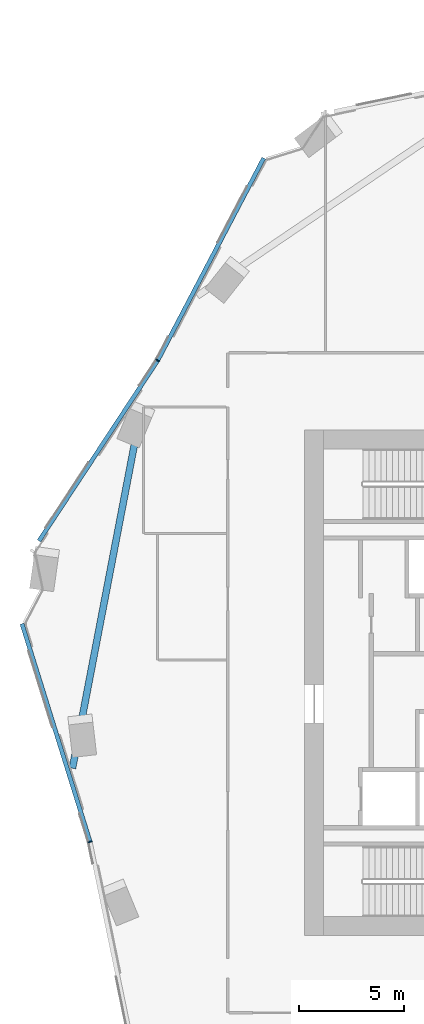
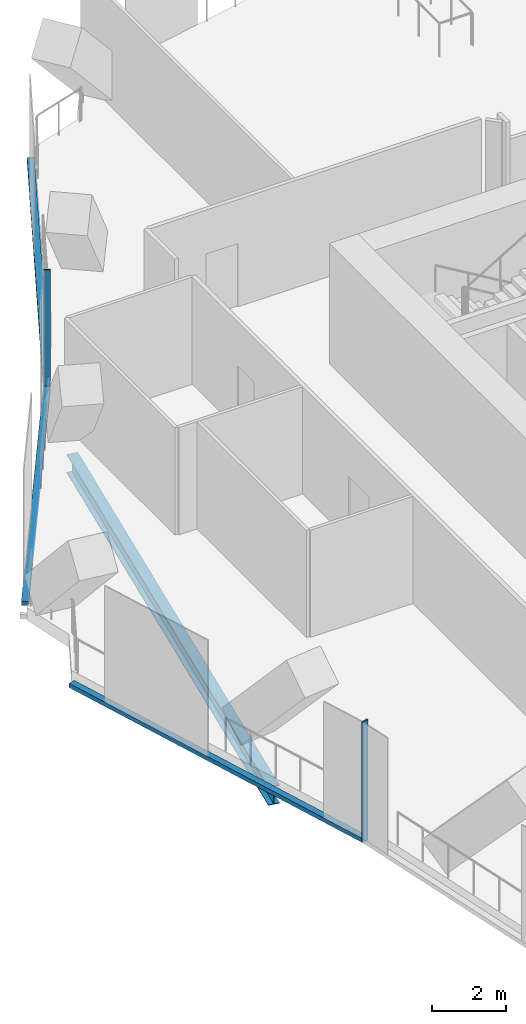
# One storey, part 6 of 26: 5 members, 1 beam, 3 elements without a shape of their own.
"""IFC4 building model written with IfcOpenShell, lengths in metres."""

from ifc_helpers import new_model, si_unit, direction, frame, origin, origin_2d, place, context, subcontext, project, spatial, rectangle, i_section, extrude, material, material_profile, profile_set, type_object, element, aggregate, save


model = new_model("IFC4")

# Units and contexts
model_context = context("Model", 3, precision=1e-05, world=origin(), true_north=direction((0.0, 1.0)))
body_context = subcontext(model_context, "Body", "Model", "MODEL_VIEW")
ifc_project = project(units=[si_unit("LENGTHUNIT", "METRE"), si_unit("AREAUNIT", "SQUARE_METRE"), si_unit("VOLUMEUNIT", "CUBIC_METRE"), si_unit("PLANEANGLEUNIT", "RADIAN"), si_unit("MASSUNIT", "GRAM", prefix="KILO")], contexts=[model_context])

# Site, building, storey
site_placement = place(None, origin())
site = spatial("IfcSite", under=ifc_project, at=site_placement, CompositionType="ELEMENT")
building_placement = place(site_placement, origin())
building = spatial("IfcBuilding", under=site, at=building_placement, Name="Orlundy Tower", CompositionType="ELEMENT")
storey_placement = place(building_placement, frame((0.0, 0.0, 249.5)))
storey = spatial("IfcBuildingStorey", under=building, at=storey_placement, Name="L66", CompositionType="ELEMENT", Elevation=249.5)

# Beam
ifc_material_1 = material(Name="Steel ASTM A992 Gr 50", Category="steel")
ifc_material_profile_1 = material_profile(ifc_material_1, i_section(OverallWidth=0.32373046875, OverallDepth=0.611083984375, WebThickness=0.0126953125, FlangeThickness=0.01904296875, at=origin_2d()), Name="W24X104")
ifc_profile_set_1 = profile_set([ifc_material_profile_1], Name="Steel ASTM A992 Gr 50")
beam_type = type_object("IfcBeamType", Name="CANTILEVER GIRDER beam W24X104", PredefinedType="BEAM", material=ifc_profile_set_1)
beam_placement = place(storey_placement, frame((-30.01220703125, -4.05712890625, -0.7255859375), z_axis=(0.187917203986, 0.982184872845, 0.0), x_axis=(-0.982184872845, 0.187917203986, 0.0)))
element("IfcBeam", 1, at=beam_placement, inside=storey, type_object=beam_type, Name="Cantilever girder C-H18 L66", PredefinedType="BEAM", context=body_context, shape_type="SweptSolid", body=[
    extrude(i_section(OverallWidth=0.32373046875, OverallDepth=0.611083984375, WebThickness=0.0126953125, FlangeThickness=0.01904296875, at=origin_2d()), origin(), (0.0, 0.0, 1.0), 16.706298828125),
])

# Curtain wall, member
ifc_material_2 = material(Name="Aluminium bronze anodised", Category="aluminium")
curtain_wall_type = type_object("IfcCurtainWallType", Name="CW5 wall", PredefinedType="NOTDEFINED", material=ifc_material_2)
curtain_wall_1_placement = place(storey_placement, origin())
curtain_wall_1 = element("IfcCurtainWall", 2, at=curtain_wall_1_placement, inside=storey, type_object=curtain_wall_type, Name="CW5 run 03", PredefinedType="NOTDEFINED")
ifc_material_3 = material(Name="Aluminium bronze anodised", Category="aluminium")
ifc_material_profile_2 = material_profile(ifc_material_3, rectangle(XDim=0.199951171875, YDim=0.050048828125, at=origin_2d()), Name="CW5 mullion 50x200")
ifc_profile_set_2 = profile_set([ifc_material_profile_2], Name="Aluminium bronze anodised")
member_type_1 = type_object("IfcMemberType", Name="CW5 mullion 50x200", PredefinedType="MULLION", material=ifc_profile_set_2)
member_1_placement = place(storey_placement, frame((-29.176025390625, -7.547119140625, -0.419921875), z_axis=(0.0, 0.0, 1.0), x_axis=(-0.968142230597, -0.250400921192, 0.0)))
member_1 = element("IfcMember", 3, at=member_1_placement, type_object=member_type_1, Name="CW5 mullion 5", PredefinedType="MULLION", context=body_context, shape_type="SweptSolid", body=[
    extrude(rectangle(XDim=0.199951171875, YDim=0.050048828125, at=origin_2d()), origin(), (0.0, 0.0, 1.0), 4.0),
])

curtain_wall_2_placement = place(storey_placement, origin())
curtain_wall_2 = element("IfcCurtainWall", 4, at=curtain_wall_2_placement, inside=storey, type_object=curtain_wall_type, Name="CW5 run 07", PredefinedType="NOTDEFINED")
member_2_placement = place(storey_placement, frame((-25.96728515625, 15.293701171875, -0.419921875), z_axis=(0.0, 0.0, 1.0), x_axis=(-0.861623522249, 0.50754793459, 0.0)))
member_2 = element("IfcMember", 5, at=member_2_placement, type_object=member_type_1, Name="CW5 mullion 11", PredefinedType="MULLION", context=body_context, shape_type="SweptSolid", body=[
    extrude(rectangle(XDim=0.199951171875, YDim=0.050048828125, at=origin_2d()), origin(), (0.0, 0.0, 1.0), 4.0),
])

# Member
ifc_material_4 = material(Name="Aluminium bronze anodised", Category="aluminium")
ifc_material_profile_3 = material_profile(ifc_material_4, rectangle(XDim=0.199951171875, YDim=0.139892578125, at=origin_2d()), Name="CW5 transom 200x140")
ifc_profile_set_3 = profile_set([ifc_material_profile_3], Name="Aluminium bronze anodised")
member_type_2 = type_object("IfcMemberType", Name="CW5 transom 200x140", PredefinedType="USERDEFINED", material=ifc_profile_set_3)
member_3_placement = place(storey_placement, frame((-29.183349609375, -7.523193359375, -0.35009765625), z_axis=(-0.298003726695, 0.95456470649, 0.0), x_axis=(-0.95456470649, -0.298003726695, 0.0)))
member_3 = element("IfcMember", 6, at=member_3_placement, type_object=member_type_2, Name="CW5 transom", ObjectType="TRANSOM", PredefinedType="USERDEFINED", context=body_context, shape_type="SweptSolid", body=[
    extrude(rectangle(XDim=0.199951171875, YDim=0.139892578125, at=origin_2d()), origin(), (0.0, 0.0, 1.0), 10.813232421875),
])

aggregate(curtain_wall_1, [member_1, member_3])

# Curtain wall, member
curtain_wall_3_placement = place(storey_placement, origin())
curtain_wall_3 = element("IfcCurtainWall", 7, at=curtain_wall_3_placement, inside=storey, type_object=curtain_wall_type, Name="CW5 run 06", PredefinedType="NOTDEFINED")
member_4_placement = place(storey_placement, frame((-31.59765625, 6.73388671875, -0.35009765625), z_axis=(0.549541040317, 0.835466722861, 0.0), x_axis=(-0.835466722861, 0.549541040317, 0.0)))
member_4 = element("IfcMember", 8, at=member_4_placement, type_object=member_type_2, Name="CW5 transom", ObjectType="TRANSOM", PredefinedType="USERDEFINED", context=body_context, shape_type="SweptSolid", body=[
    extrude(rectangle(XDim=0.199951171875, YDim=0.139892578125, at=origin_2d()), origin(), (0.0, 0.0, 1.0), 10.220703125),
])
aggregate(curtain_wall_3, [member_4])

# Member
member_5_placement = place(storey_placement, frame((-25.95556640625, 15.31591796875, -0.35009765625), z_axis=(0.464299723632, 0.885678139414, 0.0), x_axis=(-0.885678139414, 0.464299723632, 0.0)))
member_5 = element("IfcMember", 9, at=member_5_placement, type_object=member_type_2, Name="CW5 transom", ObjectType="TRANSOM", PredefinedType="USERDEFINED", context=body_context, shape_type="SweptSolid", body=[
    extrude(rectangle(XDim=0.199951171875, YDim=0.139892578125, at=origin_2d()), origin(), (0.0, 0.0, 1.0), 10.81298828125),
])

aggregate(curtain_wall_2, [member_2, member_5])

save(model, "model.ifc")
